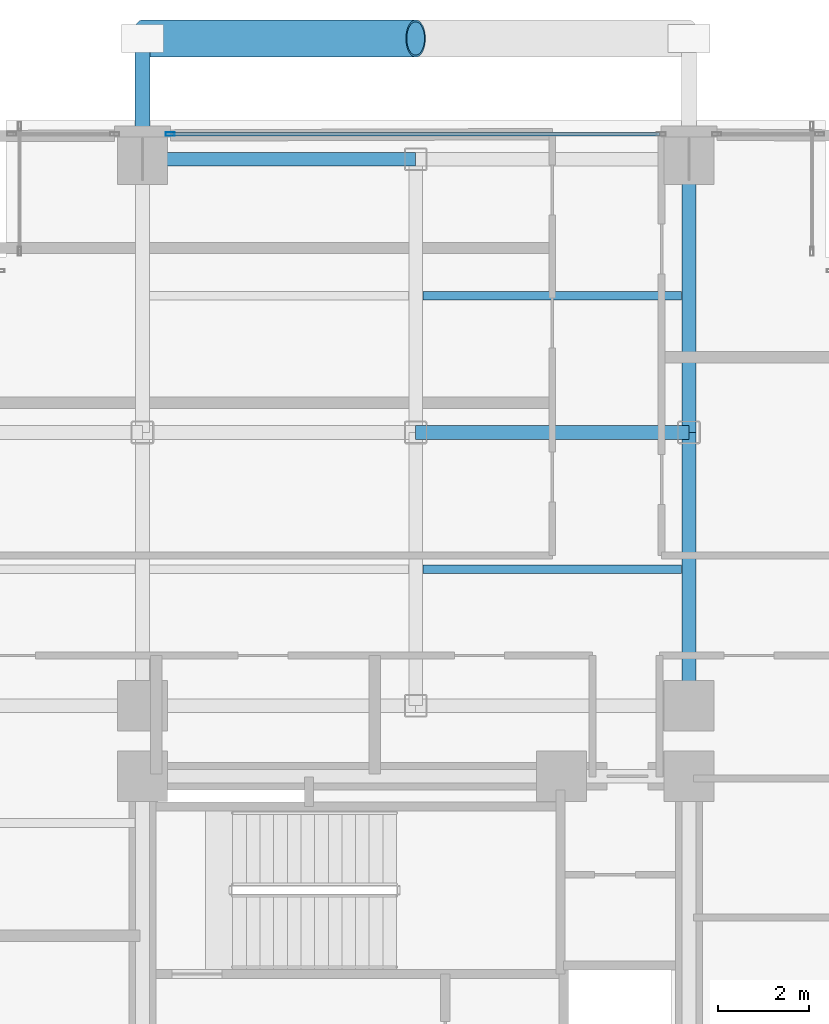
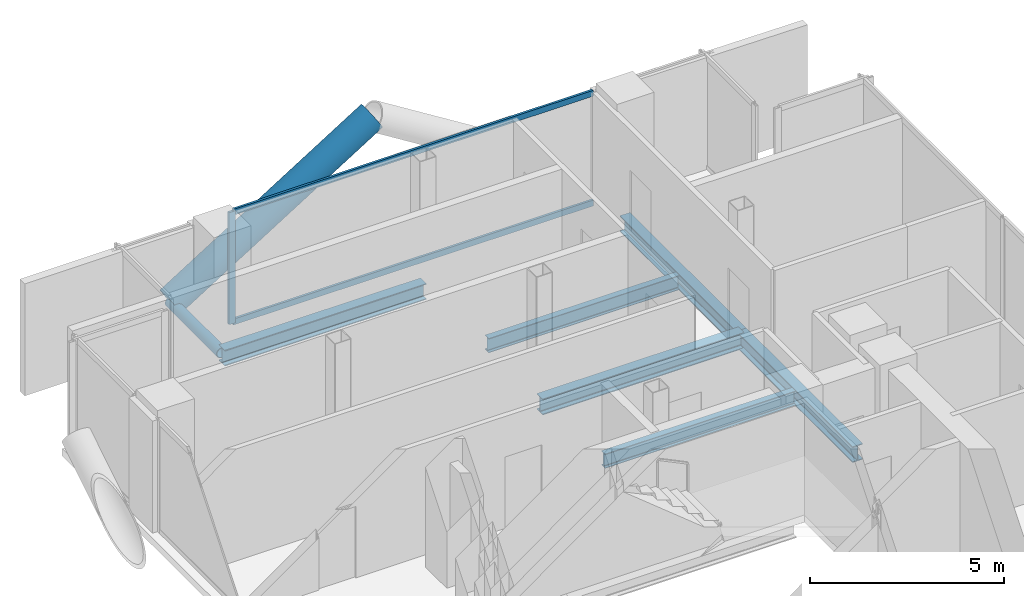
# One storey, part 15 of 24: 6 beams, 5 members, 1 element without a shape of its own.
"""IFC4 building model written with IfcOpenShell, lengths in metres."""

import ifcopenshell
import ifcopenshell.guid

model = None  # the IFC model being written
_history = None  # IfcOwnerHistory: only IFC2X3 demands one
_inside = {}  # id of a spatial element -> (the spatial element, [elements in it])
_under = {}  # id of a project, library or spatial element -> (it, [spatial elements below it])
_declared = {}  # id of a project -> (the project, [libraries it declares])
_typed = {}  # id of a type object -> (the type object, [elements of that type])
_made_of = {}  # id of a material, layer set ... -> (it, [elements and type objects made of it])


def new_model(schema):
    """Start an empty IFC model of exactly this schema.

    Asked for "IFC4X3", IfcOpenShell would pick the latest addendum, in which some entities
    have other attributes; the version numbers below select the first issue.
    IFC2X3 requires an IfcOwnerHistory on every rooted entity: one is made here for all.
    """
    global model, _history
    if schema == "IFC4X3":
        model = ifcopenshell.file(schema_version=(4, 3, 0, 0))
    else:
        model = ifcopenshell.file(schema=schema)
    _inside.clear()
    _under.clear()
    _declared.clear()
    _typed.clear()
    _made_of.clear()
    _history = None
    if model.schema == "IFC2X3":
        org = make("IfcOrganization", Name="unknown")
        user = make(
            "IfcPersonAndOrganization",
            ThePerson=make("IfcPerson", FamilyName="unknown"),
            TheOrganization=org,
        )
        app = make(
            "IfcApplication",
            ApplicationDeveloper=org,
            Version="unknown",
            ApplicationFullName="unknown",
            ApplicationIdentifier="unknown",
        )
        _history = make(
            "IfcOwnerHistory",
            OwningUser=user,
            OwningApplication=app,
            ChangeAction="ADDED",
            CreationDate=0,
        )
    return model


def make(cls, **values):
    """One entity of the class cls with the attributes given. An attribute that is None is left unset."""
    return model.create_entity(
        cls, **{name: value for name, value in values.items() if value is not None}
    )


def rooted(cls, **values):
    """An entity with a GlobalId (a new one), such as an element, a storey or a relation."""
    return make(cls, GlobalId=ifcopenshell.guid.new(), OwnerHistory=_history, **values)


def si_unit(unit_type, name, prefix=None):
    """IfcSIUnit, for example si_unit("LENGTHUNIT", "METRE", prefix="MILLI")."""
    return make("IfcSIUnit", UnitType=unit_type, Prefix=prefix, Name=name)


def assignment(units):
    """IfcUnitAssignment: the units of a project."""
    return None if units is None else make("IfcUnitAssignment", Units=units)


def point(xyz):
    """IfcCartesianPoint."""
    return None if xyz is None else make("IfcCartesianPoint", Coordinates=xyz)


def direction(xyz):
    """IfcDirection."""
    return None if xyz is None else make("IfcDirection", DirectionRatios=xyz)


def frame(location, z_axis=None, x_axis=None):
    """IfcAxis2Placement3D, a coordinate frame: its origin and axes. An axis left out is left unset."""
    return make(
        "IfcAxis2Placement3D",
        Location=point(location),
        Axis=direction(z_axis),
        RefDirection=direction(x_axis),
    )


def frame_2d(location, x_axis=None):
    """IfcAxis2Placement2D, a coordinate frame in the plane: its origin and x axis."""
    return make(
        "IfcAxis2Placement2D", Location=point(location), RefDirection=direction(x_axis)
    )


def origin():
    """The frame at (0, 0, 0) with its axes left unset."""
    return frame((0.0, 0.0, 0.0))


def origin_2d():
    """The frame at (0, 0) in the plane with its x axis left unset."""
    return frame_2d((0.0, 0.0))


def place(relative_to, where):
    """IfcLocalPlacement: puts the frame where relative to a parent placement (None: the world)."""
    return make(
        "IfcLocalPlacement", PlacementRelTo=relative_to, RelativePlacement=where
    )


def context(
    kind, dimensions, precision=None, world=None, true_north=None, identifier=None
):
    """IfcGeometricRepresentationContext, for example the 3D "Model" context."""
    return make(
        "IfcGeometricRepresentationContext",
        ContextIdentifier=identifier,
        ContextType=kind,
        CoordinateSpaceDimension=dimensions,
        Precision=precision,
        WorldCoordinateSystem=world,
        TrueNorth=true_north,
    )


def subcontext(parent, identifier, kind, view, scale=None):
    """IfcGeometricRepresentationSubContext, for example "Body" below "Model"."""
    return make(
        "IfcGeometricRepresentationSubContext",
        ContextIdentifier=identifier,
        ContextType=kind,
        ParentContext=parent,
        TargetScale=scale,
        TargetView=view,
    )


def project(units=None, contexts=None):
    """IfcProject with its units and contexts."""
    return rooted(
        "IfcProject",
        Name="project",
        RepresentationContexts=contexts,
        UnitsInContext=assignment(units),
    )


def spatial(cls, under=None, at=None, **own):
    """A site, building, storey or space (cls), placed at a placement, below another one or the project."""
    s = rooted(cls, ObjectPlacement=at, **own)
    if under is not None:
        _under.setdefault(under.id(), (under, []))[1].append(s)
    return s


def profile(cls, at=None, kind="AREA", **sizes):
    """A parametric profile (cls). Its sizes go by their IFC names, for example OverallWidth=200.0."""
    return make(cls, ProfileType=kind, Position=at, **sizes)


def hollow_rectangle(**sizes):
    """IfcRectangleHollowProfileDef."""
    return profile("IfcRectangleHollowProfileDef", **sizes)


def hollow_circle(**sizes):
    """IfcCircleHollowProfileDef."""
    return profile("IfcCircleHollowProfileDef", **sizes)


def i_section(**sizes):
    """IfcIShapeProfileDef."""
    return profile("IfcIShapeProfileDef", **sizes)


def extrude(swept, where, along, depth):
    """IfcExtrudedAreaSolid: the profile swept, set in the frame where, extruded along a direction by depth."""
    return make(
        "IfcExtrudedAreaSolid",
        SweptArea=swept,
        Position=where,
        ExtrudedDirection=direction(along),
        Depth=depth,
    )


def shape(context_of_items, identifier, shape_type, items):
    """IfcShapeRepresentation: the items that make up one representation, for example the "Body"."""
    return make(
        "IfcShapeRepresentation",
        ContextOfItems=context_of_items,
        RepresentationIdentifier=identifier,
        RepresentationType=shape_type,
        Items=items,
    )


def material(Name=None, Category=None):
    """IfcMaterial."""
    return make("IfcMaterial", Name=Name, Category=Category)


def layer(
    of_material, thickness, ventilated=None, Name=None, Category=None, Priority=None
):
    """IfcMaterialLayer: one layer of a wall or slab, of a material (None: an air gap)."""
    return make(
        "IfcMaterialLayer",
        Material=of_material,
        LayerThickness=thickness,
        IsVentilated=ventilated,
        Name=Name,
        Category=Category,
        Priority=Priority,
    )


def layer_set(layers, Name=None):
    """IfcMaterialLayerSet."""
    return make("IfcMaterialLayerSet", MaterialLayers=layers, LayerSetName=Name)


def material_profile(
    of_material, cross_section, Name=None, Category=None, Priority=None
):
    """IfcMaterialProfile: a cross section and its material."""
    return make(
        "IfcMaterialProfile",
        Name=Name,
        Material=of_material,
        Profile=cross_section,
        Priority=Priority,
        Category=Category,
    )


def profile_set(profiles, Name=None, composite=None):
    """IfcMaterialProfileSet."""
    return make(
        "IfcMaterialProfileSet",
        Name=Name,
        MaterialProfiles=profiles,
        CompositeProfile=composite,
    )


def made_of(thing, what):
    """Note that an element or type object is made of a material, layer set ...; save() writes the relation."""
    if what is not None:
        _made_of.setdefault(what.id(), (what, []))[1].append(thing)
    return thing


def type_object(cls, material=None, **own):
    """A type object (cls), such as IfcWallType, which elements share."""
    return made_of(rooted(cls, **own), material)


def element(
    cls,
    number,
    at=None,
    inside=None,
    cuts=None,
    type_object=None,
    material=None,
    context=None,
    identifier="Body",
    shape_type=None,
    held_by="IfcProductDefinitionShape",
    body=None,
    shapes=None,
    **own,
):
    """One element of the class cls, such as IfcWall. Its Tag is "e" and its number.

    at: its placement. inside: the storey or other place that contains it. cuts: it is an
    opening in that element (IfcRelVoidsElement). A single representation is given by context,
    identifier, shape_type and body (its items); several are given by shapes. held_by: the class
    of the entity that holds the representations. save() writes the other relations.
    """
    e = rooted(cls, Tag="e%d" % number, ObjectPlacement=at, **own)
    if body is not None:
        shapes = [shape(context, identifier, shape_type, body)]
    if shapes is not None:
        e.Representation = make(held_by, Representations=shapes)
    if inside is not None:
        _inside.setdefault(inside.id(), (inside, []))[1].append(e)
    if cuts is not None:
        rooted(
            "IfcRelVoidsElement", RelatingBuildingElement=cuts, RelatedOpeningElement=e
        )
    if type_object is not None:
        _typed.setdefault(type_object.id(), (type_object, []))[1].append(e)
    return made_of(e, material)


def aggregate(whole, parts):
    """IfcRelAggregates: a whole, such as a stair, and the parts it consists of."""
    return rooted("IfcRelAggregates", RelatingObject=whole, RelatedObjects=parts)


def save(model, path):
    """Write the relations noted so far, then the file.

    IfcRelAggregates (storeys below a building ...), IfcRelContainedInSpatialStructure (elements
    in a storey), IfcRelDefinesByType, IfcRelAssociatesMaterial and IfcRelDeclares: one each for
    every whole, place, type object, material and project.
    """
    for whole, parts in _under.values():
        aggregate(whole, parts)
    for where, things in _inside.values():
        rooted(
            "IfcRelContainedInSpatialStructure",
            RelatedElements=things,
            RelatingStructure=where,
        )
    for kind, things in _typed.values():
        rooted("IfcRelDefinesByType", RelatedObjects=things, RelatingType=kind)
    for what, things in _made_of.values():
        rooted("IfcRelAssociatesMaterial", RelatedObjects=things, RelatingMaterial=what)
    for by, libraries in _declared.values():
        rooted("IfcRelDeclares", RelatingContext=by, RelatedDefinitions=libraries)
    model.write(path)


model = new_model("IFC4")

# Units and contexts
model_context = context("Model", 3, precision=1e-05, world=origin(), true_north=direction((0.0, 1.0)))
body_context = subcontext(model_context, "Body", "Model", "MODEL_VIEW")
ifc_project = project(units=[si_unit("LENGTHUNIT", "METRE"), si_unit("AREAUNIT", "SQUARE_METRE"), si_unit("VOLUMEUNIT", "CUBIC_METRE"), si_unit("PLANEANGLEUNIT", "RADIAN"), si_unit("MASSUNIT", "GRAM", prefix="KILO"), si_unit("THERMODYNAMICTEMPERATUREUNIT", "KELVIN"), si_unit("POWERUNIT", "WATT")], contexts=[model_context])

# Site, building, storey
site_placement = place(None, origin())
site = spatial("IfcSite", under=ifc_project, at=site_placement, CompositionType="ELEMENT")
building_placement = place(site_placement, origin())
building = spatial("IfcBuilding", under=site, at=building_placement, Name="Svarakhadi Broadcast Tower", CompositionType="ELEMENT")
storey_placement = place(building_placement, frame((0.0, 0.0, 126.89990234375)))
storey = spatial("IfcBuildingStorey", under=building, at=storey_placement, Name="L30", CompositionType="ELEMENT", Elevation=126.89990234375)

# Beams
ifc_material_1 = material(Name="Steel S355J2 (IS 2062 E350C)", Category="steel")
ifc_material_profile_1 = material_profile(ifc_material_1, i_section(OverallWidth=0.18994140625, OverallDepth=0.449951171875, WebThickness=0.009521484375, FlangeThickness=0.0146484375, FilletRadius=0.02099609375, at=origin_2d()), Name="NPB 450x190x78")
ifc_profile_set_1 = profile_set([ifc_material_profile_1], Name="Steel S355J2 (IS 2062 E350C)")
beam_type_1 = type_object("IfcBeamType", Name="Beam_NPB450", PredefinedType="BEAM", material=ifc_profile_set_1)
for number, where, z_axis, x_axis, name in (
    (1, (12.159912109375, 32.14990234375, -0.449951171875), (1.0, 0.0, 0.0), (0.0, 1.0, 0.0), "L30 Secondary Composite Beam SB014"),
    (2, (12.159912109375, 38.14990234375, -0.449951171875), (1.0, 0.0, 0.0), (0.0, 1.0, 0.0), "L30 Secondary Composite Beam SB015"),
):
    element("IfcBeam", number, at=place(storey_placement, frame(where, z_axis=z_axis, x_axis=x_axis)), inside=storey, type_object=beam_type_1, Name=name, PredefinedType="BEAM", context=body_context, shape_type="SweptSolid", body=[
        extrude(i_section(OverallWidth=0.18994140625, OverallDepth=0.449951171875, WebThickness=0.009521484375, FlangeThickness=0.0146484375, FilletRadius=0.02099609375, at=origin_2d()), origin(), (0.0, 0.0, 1.0), 5.68017578125),
    ])

# Curtain wall, members
ifc_material_2 = material(Name="Anodised Bronze Aluminium AA 6063-T6", Category="aluminium")
ifc_layer = layer(ifc_material_2, 0.199951171875)
ifc_layer_set = layer_set([ifc_layer], Name="Anodised Bronze Aluminium AA 6063-T6")
curtain_wall_type = type_object("IfcCurtainWallType", Name="CW_Sys_03", PredefinedType="NOTDEFINED", material=ifc_layer_set)
curtain_wall_placement = place(storey_placement, origin())
curtain_wall = element("IfcCurtainWall", 3, at=curtain_wall_placement, inside=storey, type_object=curtain_wall_type, Name="L30 Unitised Facade Curtain Wall 06 Bay 2", PredefinedType="NOTDEFINED")
ifc_material_profile_2 = material_profile(ifc_material_2, hollow_rectangle(XDim=0.074951171875, YDim=0.199951171875, WallThickness=0.005615234375, at=origin_2d()), Name="ALU MULLION 200x75x6")
ifc_profile_set_2 = profile_set([ifc_material_profile_2], Name="Anodised Bronze Aluminium AA 6063-T6")
member_type_1 = type_object("IfcMemberType", Name="CW_Sys_03_Mul", PredefinedType="MULLION", material=ifc_profile_set_2)
member_1_placement = place(storey_placement, frame((6.607421875, 41.699951171875, 0.0), z_axis=(0.0, 0.0, 1.0), x_axis=(0.0, 1.0, 0.0)))
member_1 = element("IfcMember", 4, at=member_1_placement, type_object=member_type_1, Name="CW-03 mullion 1", PredefinedType="MULLION", context=body_context, shape_type="SweptSolid", body=[
    extrude(hollow_rectangle(XDim=0.074951171875, YDim=0.199951171875, WallThickness=0.005615234375, at=origin_2d()), origin(), (0.0, 0.0, 1.0), 3.525146484375),
])
ifc_material_profile_3 = material_profile(ifc_material_2, hollow_rectangle(XDim=0.070068359375, YDim=0.18505859375, WallThickness=0.0048828125, at=origin_2d()), Name="ALU TRANSOM 185x70x5")
ifc_profile_set_3 = profile_set([ifc_material_profile_3], Name="Anodised Bronze Aluminium AA 6063-T6")
member_type_2 = type_object("IfcMemberType", Name="CW_Sys_03_Trn", PredefinedType="USERDEFINED", material=ifc_profile_set_3)
member_2_placement = place(storey_placement, frame((6.64501953125, 41.699951171875, 0.03515625), z_axis=(1.0, 0.0, 0.0), x_axis=(0.0, 1.0, 0.0)))
member_2 = element("IfcMember", 5, at=member_2_placement, type_object=member_type_2, Name="CW-03 transom 1.1", ObjectType="TRANSOM", PredefinedType="USERDEFINED", context=body_context, shape_type="SweptSolid", body=[
    extrude(hollow_rectangle(XDim=0.070068359375, YDim=0.18505859375, WallThickness=0.0048828125, at=origin_2d()), origin(), (0.0, 0.0, 1.0), 10.7099609375),
])
member_3_placement = place(storey_placement, frame((6.64501953125, 41.699951171875, 3.489990234375), z_axis=(1.0, 0.0, 0.0), x_axis=(0.0, 1.0, 0.0)))
member_3 = element("IfcMember", 6, at=member_3_placement, type_object=member_type_2, Name="CW-03 transom 1.2", ObjectType="TRANSOM", PredefinedType="USERDEFINED", context=body_context, shape_type="SweptSolid", body=[
    extrude(hollow_rectangle(XDim=0.070068359375, YDim=0.18505859375, WallThickness=0.0048828125, at=origin_2d()), origin(), (0.0, 0.0, 1.0), 10.7099609375),
])
aggregate(curtain_wall, [member_1, member_2, member_3])

# Members
ifc_material_3 = material(Name="Steel S460ML (IS 2062 E450BR)", Category="steel")
ifc_material_profile_4 = material_profile(ifc_material_3, hollow_circle(Radius=0.406494140625, WallThickness=0.0400390625, at=origin_2d()), Name="CHS 813x40")
ifc_profile_set_4 = profile_set([ifc_material_profile_4], Name="Steel S460ML (IS 2062 E450BR)")
member_type_3 = type_object("IfcMemberType", Name="Exo_Brace_CHS813", PredefinedType="BRACE", material=ifc_profile_set_4)
member_4_placement = place(storey_placement, frame((6.0, 43.800048828125, -0.386962890625), z_axis=(0.847998304005, 0.0, 0.529998940003), x_axis=(0.0, 1.0, 0.0)))
element("IfcMember", 7, at=member_4_placement, inside=storey, type_object=member_type_3, Name="L30 Exposed Bronze Exoskeleton Diagonal N08", PredefinedType="BRACE", context=body_context, shape_type="SweptSolid", body=[
    extrude(hollow_circle(Radius=0.406494140625, WallThickness=0.0400390625, at=origin_2d()), origin(), (0.0, 0.0, 1.0), 7.075439453125),
])
ifc_material_profile_5 = material_profile(ifc_material_3, hollow_circle(Radius=0.161865234375, WallThickness=0.01611328125, at=origin_2d()), Name="CHS 323.9x16")
ifc_profile_set_5 = profile_set([ifc_material_profile_5], Name="Steel S460ML (IS 2062 E450BR)")
member_type_4 = type_object("IfcMemberType", Name="Exo_Radial_Strut_Z2", PredefinedType="STRUT", material=ifc_profile_set_5)
member_5_placement = place(storey_placement, frame((6.0, 43.800048828125, -0.386962890625), z_axis=(0.0, -1.0, 0.0), x_axis=(1.0, 0.0, 0.0)))
element("IfcMember", 8, at=member_5_placement, inside=storey, type_object=member_type_4, Name="L30 Exoskeleton Radial Tie Strut N10", PredefinedType="STRUT", context=body_context, shape_type="SweptSolid", body=[
    extrude(hollow_circle(Radius=0.161865234375, WallThickness=0.01611328125, at=origin_2d()), origin(), (0.0, 0.0, 1.0), 2.650146484375),
])

# Beams
ifc_material_profile_6 = material_profile(ifc_material_1, i_section(OverallWidth=0.300048828125, OverallDepth=0.5, WebThickness=0.014404296875, FlangeThickness=0.028076171875, FilletRadius=0.027099609375, at=origin_2d()), Name="WPB 500x300x187")
ifc_profile_set_6 = profile_set([ifc_material_profile_6], Name="Steel S355J2 (IS 2062 E350C)")
beam_type_2 = type_object("IfcBeamType", Name="Girder_WPB500", PredefinedType="USERDEFINED", material=ifc_profile_set_6)
for number, where, z_axis, x_axis, name in (
    (9, (12.0, 35.14990234375, -0.474853515625), (1.0, 0.0, 0.0), (0.0, 1.0, 0.0), "L30 Primary E-W Girder G037"),
    (10, (6.0, 41.14990234375, -0.474853515625), (1.0, 0.0, 0.0), (0.0, 1.0, 0.0), "L30 Primary E-W Girder G038"),
    (11, (18.0, 29.14990234375, -0.474853515625), (0.0, 1.0, 0.0), (-1.0, 0.0, 0.0), "L30 Primary N-S Girder G060"),
    (12, (18.0, 35.14990234375, -0.474853515625), (0.0, 1.0, 0.0), (-1.0, 0.0, 0.0), "L30 Primary N-S Girder G061"),
):
    element("IfcBeam", number, at=place(storey_placement, frame(where, z_axis=z_axis, x_axis=x_axis)), inside=storey, type_object=beam_type_2, Name=name, ObjectType="GIRDER", PredefinedType="USERDEFINED", context=body_context, shape_type="SweptSolid", body=[
        extrude(i_section(OverallWidth=0.300048828125, OverallDepth=0.5, WebThickness=0.014404296875, FlangeThickness=0.028076171875, FilletRadius=0.027099609375, at=origin_2d()), origin(), (0.0, 0.0, 1.0), 6.0),
    ])

save(model, "model.ifc")
